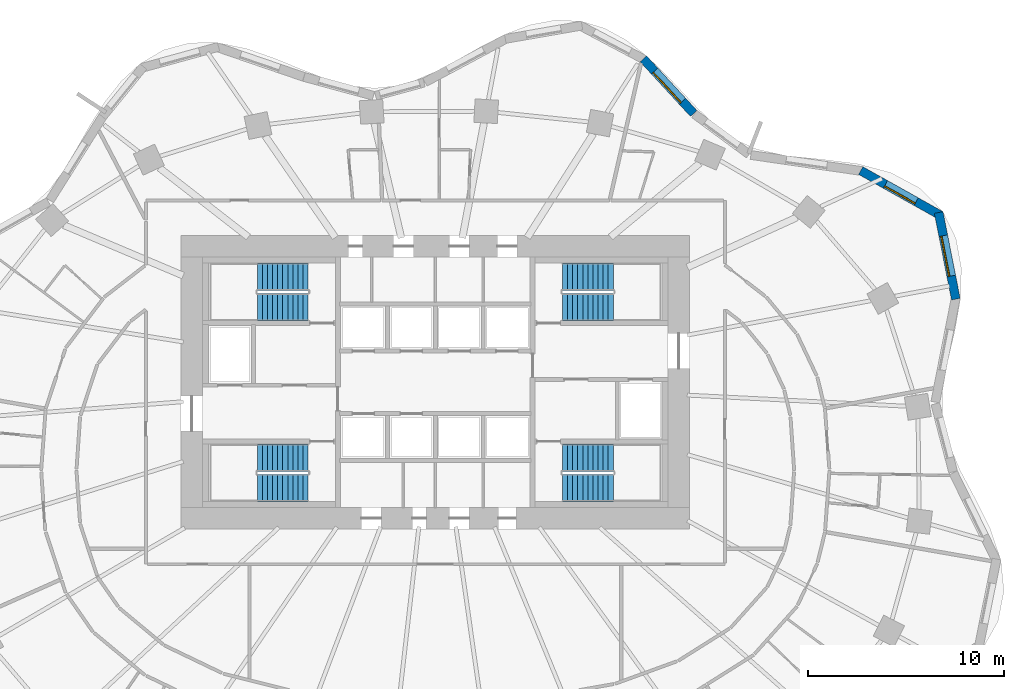
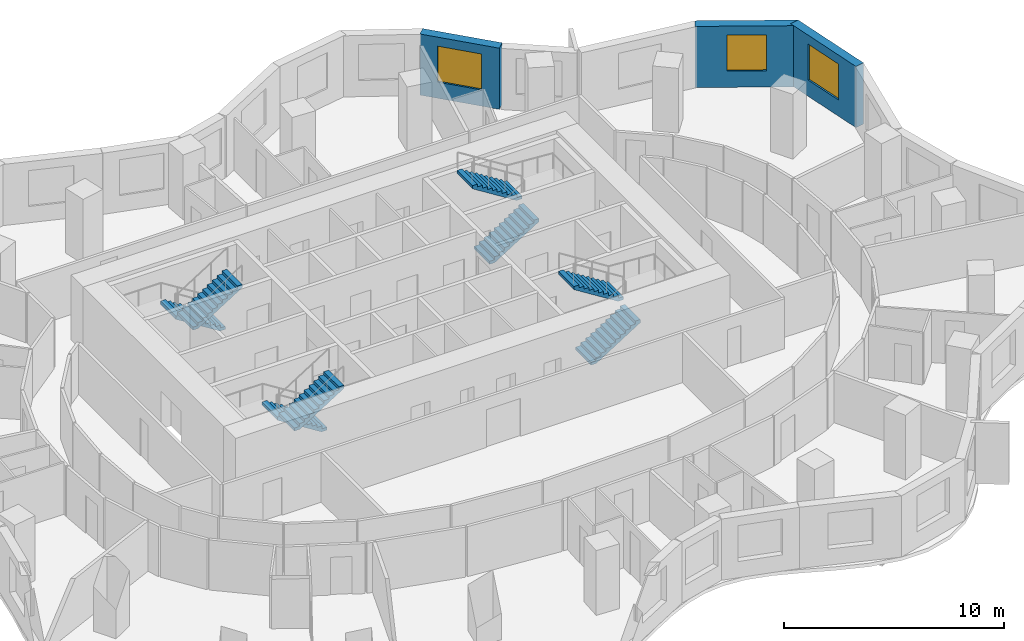
# One storey, part 9 of 10: 8 stair flights, 3 walls, 3 windows, 3 openings, 4 elements without a shape of their own.
"""IFC4 building model written with IfcOpenShell, lengths in metres."""

from ifc_helpers import new_model, si_unit, direction, frame, frame_2d, origin, place, context, subcontext, project, spatial, polyline, rectangle, outline, extrude, material, layer, layer_set, type_object, element, fill, aggregate, save


model = new_model("IFC4")

# Units and contexts
model_context = context("Model", 3, precision=1e-05, world=origin(), true_north=direction((0.0, 1.0)))
body_context = subcontext(model_context, "Body", "Model", "MODEL_VIEW")
ifc_project = project(units=[si_unit("LENGTHUNIT", "METRE"), si_unit("AREAUNIT", "SQUARE_METRE"), si_unit("VOLUMEUNIT", "CUBIC_METRE"), si_unit("PLANEANGLEUNIT", "RADIAN"), si_unit("MASSUNIT", "GRAM", prefix="KILO")], contexts=[model_context])

# Site, building, storey
site_placement = place(None, origin())
site = spatial("IfcSite", under=ifc_project, at=site_placement, CompositionType="ELEMENT")
building_placement = place(site_placement, origin())
building = spatial("IfcBuilding", under=site, at=building_placement, Name="Rubra Terraces Tower", CompositionType="ELEMENT")
storey_placement = place(building_placement, frame((0.0, 0.0, 92.39990234375)))
storey = spatial("IfcBuildingStorey", under=building, at=storey_placement, Name="L21", CompositionType="ELEMENT", Elevation=92.39990234375)

# Wall, opening, window
ifc_material_1 = material(Name="Brick masonry red-brown", Category="masonry")
ifc_layer = layer(ifc_material_1, 0.449951171875)
ifc_layer_set = layer_set([ifc_layer], Name="Brick masonry red-brown")
wall_type = type_object("IfcWallType", Name="Brick facade wall 450", PredefinedType="SOLIDWALL", material=ifc_layer_set)
wall_1_placement = place(storey_placement, frame((26.609619140625, 8.747802734375, 0.0), z_axis=(0.0, 0.0, 1.0), x_axis=(-0.193923166402, 0.981016720312, 0.0)))
wall_1 = element("IfcWall", 1, at=wall_1_placement, inside=storey, type_object=wall_type, Name="Facade wall L21 bay 3", PredefinedType="SOLIDWALL", context=body_context, shape_type="SweptSolid", body=[
    extrude(rectangle(XDim=4.518310546875, YDim=0.449951171875, at=frame_2d((2.25927734375, 0.0))), origin(), (0.0, 0.0, 1.0), 3.400146484375),
])
opening_1_placement = place(wall_1_placement, frame((1.209228515625, 0.0, 0.89990234375)))
opening_1 = element("IfcOpeningElement", 2, at=opening_1_placement, cuts=wall_1, Name="Opening W1", PredefinedType="OPENING", context=body_context, shape_type="SweptSolid", body=[
    extrude(rectangle(XDim=2.10009765625, YDim=2.0, at=frame_2d((1.050048828125, 1.0))), frame((0.0, 0.23486328125, 0.0), z_axis=(0.0, -1.0, 0.0), x_axis=(1.0, 0.0, 0.0)), (0.0, 0.0, 1.0), 0.469970703125),
])
ifc_material_2 = material(Name="Clear glass in aluminium frame", Category="aluminium")
window_type_1 = type_object("IfcWindowType", Name="Fixed deep-set window 2100 x 2000", PartitioningType="SINGLE_PANEL", PredefinedType="WINDOW", material=ifc_material_2)
window_1_placement = place(opening_1_placement, origin())
window_1 = element("IfcWindow", 3, at=window_1_placement, inside=storey, type_object=window_type_1, Name="Window L21 bay 3", OverallHeight=2.0, OverallWidth=2.10009765625, PartitioningType="SINGLE_PANEL", PredefinedType="WINDOW", context=body_context, shape_type="SweptSolid", body=[
    extrude(rectangle(XDim=2.10009765625, YDim=2.0, at=frame_2d((1.050048828125, 1.0))), frame((0.0, 0.135009765625, 0.0), z_axis=(0.0, -1.0, 0.0), x_axis=(1.0, 0.0, 0.0)), (0.0, 0.0, 1.0), 0.06005859375),
])
fill(opening_1, window_1)

wall_2_placement = place(storey_placement, frame((25.843994140625, 13.027587890625, 0.0), z_axis=(0.0, 0.0, 1.0), x_axis=(-0.872346398261, 0.488888291373, 0.0)))
wall_2 = element("IfcWall", 4, at=wall_2_placement, inside=storey, type_object=wall_type, Name="Facade wall L21 bay 4", PredefinedType="SOLIDWALL", context=body_context, shape_type="SweptSolid", body=[
    extrude(rectangle(XDim=4.696044921875, YDim=0.449951171875, at=frame_2d((2.34814453125, 0.0))), origin(), (0.0, 0.0, 1.0), 3.400146484375),
])
opening_2_placement = place(wall_2_placement, frame((1.447998046875, 0.0, 0.89990234375)))
opening_2 = element("IfcOpeningElement", 5, at=opening_2_placement, cuts=wall_2, Name="Opening W6", PredefinedType="OPENING", context=body_context, shape_type="SweptSolid", body=[
    extrude(rectangle(XDim=1.800048828125, YDim=2.0, at=frame_2d((0.89990234375, 1.0))), frame((0.0, 0.23486328125, 0.0), z_axis=(0.0, -1.0, 0.0), x_axis=(1.0, 0.0, 0.0)), (0.0, 0.0, 1.0), 0.469970703125),
])
window_type_2 = type_object("IfcWindowType", Name="Fixed deep-set window at wind fin 1800 x 2000", PartitioningType="SINGLE_PANEL", PredefinedType="WINDOW", material=ifc_material_2)
window_2_placement = place(opening_2_placement, origin())
window_2 = element("IfcWindow", 6, at=window_2_placement, inside=storey, type_object=window_type_2, Name="Window L21 bay 4", OverallHeight=2.0, OverallWidth=1.800048828125, PartitioningType="SINGLE_PANEL", PredefinedType="WINDOW", context=body_context, shape_type="SweptSolid", body=[
    extrude(rectangle(XDim=1.800048828125, YDim=2.0, at=frame_2d((0.89990234375, 1.0))), frame((0.0, 0.135009765625, 0.0), z_axis=(0.0, -1.0, 0.0), x_axis=(1.0, 0.0, 0.0)), (0.0, 0.0, 1.0), 0.06005859375),
])
fill(opening_2, window_2)

wall_3_placement = place(storey_placement, frame((13.20947265625, 18.242919921875, 0.0), z_axis=(0.0, 0.0, 1.0), x_axis=(-0.677612152497, 0.735419452278, 0.0)))
wall_3 = element("IfcWall", 7, at=wall_3_placement, inside=storey, type_object=wall_type, Name="Facade wall L21 bay 7", PredefinedType="SOLIDWALL", context=body_context, shape_type="SweptSolid", body=[
    extrude(rectangle(XDim=3.796875, YDim=0.449951171875, at=frame_2d((1.8984375, 0.0))), origin(), (0.0, 0.0, 1.0), 3.400146484375),
])
opening_3_placement = place(wall_3_placement, frame((0.848388671875, 0.0, 0.89990234375)))
opening_3 = element("IfcOpeningElement", 8, at=opening_3_placement, cuts=wall_3, Name="Opening W1", PredefinedType="OPENING", context=body_context, shape_type="SweptSolid", body=[
    extrude(rectangle(XDim=2.10009765625, YDim=2.0, at=frame_2d((1.050048828125, 1.0))), frame((0.0, 0.23486328125, 0.0), z_axis=(0.0, -1.0, 0.0), x_axis=(1.0, 0.0, 0.0)), (0.0, 0.0, 1.0), 0.469970703125),
])
window_3_placement = place(opening_3_placement, origin())
window_3 = element("IfcWindow", 9, at=window_3_placement, inside=storey, type_object=window_type_1, Name="Window L21 bay 7", OverallHeight=2.0, OverallWidth=2.10009765625, PartitioningType="SINGLE_PANEL", PredefinedType="WINDOW", context=body_context, shape_type="SweptSolid", body=[
    extrude(rectangle(XDim=2.10009765625, YDim=2.0, at=frame_2d((1.050048828125, 1.0))), frame((0.0, 0.135009765625, 0.0), z_axis=(0.0, -1.0, 0.0), x_axis=(1.0, 0.0, 0.0)), (0.0, 0.0, 1.0), 0.06005859375),
])
fill(opening_3, window_3)

# Stair, stair flights
ifc_material_3 = material(Name="Concrete C40", Category="concrete")
stair_type = type_object("IfcStairType", Name="Core stair 1400", PredefinedType="HALF_TURN_STAIR", material=ifc_material_3)
stair_1_placement = place(storey_placement, origin())
stair_1 = element("IfcStair", 10, at=stair_1_placement, inside=storey, type_object=stair_type, Name="L21 Exit stair S1", PredefinedType="HALF_TURN_STAIR")
stair_flight_type = type_object("IfcStairFlightType", Name="Core stair flight 1400", PredefinedType="STRAIGHT", material=ifc_material_3)
stair_flight_1_placement = place(storey_placement, frame((-6.5, 0.64990234375, 0.0), z_axis=(0.0, 0.0, 1.0), x_axis=(-1.0, 0.0, 0.0)))
stair_flight_1 = element("IfcStairFlight", 11, at=stair_flight_1_placement, type_object=stair_flight_type, Name="S1 flight 1", NumberOfRisers=11, NumberOfTreads=10, PredefinedType="STRAIGHT", RiserHeight=0.163636364, TreadLength=0.26, context=body_context, shape_type="SweptSolid", body=[
    extrude(outline(polyline([(0.0, 0.0), (0.0, 0.16357421875), (0.260009765625, 0.16357421875), (0.260009765625, 0.327392578125), (0.52001953125, 0.327392578125), (0.52001953125, 0.490966796875), (0.780029296875, 0.490966796875), (0.780029296875, 0.654541015625), (1.0400390625, 0.654541015625), (1.0400390625, 0.818115234375), (1.300048828125, 0.818115234375), (1.300048828125, 0.98193359375), (1.56005859375, 0.98193359375), (1.56005859375, 1.1455078125), (1.820068359375, 1.1455078125), (1.820068359375, 1.30908203125), (2.080078125, 1.30908203125), (2.080078125, 1.47265625), (2.340087890625, 1.47265625), (2.340087890625, 1.636474609375), (2.60009765625, 1.636474609375), (2.60009765625, 1.800048828125), (2.60009765625, 1.459228515625), (0.281494140625, 0.0), (0.0, 0.0)])), frame((0.0, 0.699951171875, 0.0), z_axis=(0.0, -1.0, 0.0), x_axis=(1.0, 0.0, 0.0)), (0.0, 0.0, 1.0), 1.39990234375),
])
stair_flight_2_placement = place(storey_placement, frame((-9.10009765625, -0.89990234375, 1.800048828125), z_axis=(0.0, 0.0, 1.0), x_axis=(1.0, 0.0, 0.0)))
stair_flight_2 = element("IfcStairFlight", 12, at=stair_flight_2_placement, type_object=stair_flight_type, Name="S1 flight 2", NumberOfRisers=11, NumberOfTreads=10, PredefinedType="STRAIGHT", RiserHeight=0.163636364, TreadLength=0.26, context=body_context, shape_type="SweptSolid", body=[
    extrude(outline(polyline([(0.0, 0.0), (0.0, 0.16357421875), (0.260009765625, 0.16357421875), (0.260009765625, 0.327392578125), (0.52001953125, 0.327392578125), (0.52001953125, 0.490966796875), (0.780029296875, 0.490966796875), (0.780029296875, 0.654541015625), (1.0400390625, 0.654541015625), (1.0400390625, 0.818115234375), (1.300048828125, 0.818115234375), (1.300048828125, 0.98193359375), (1.56005859375, 0.98193359375), (1.56005859375, 1.1455078125), (1.820068359375, 1.1455078125), (1.820068359375, 1.30908203125), (2.080078125, 1.30908203125), (2.080078125, 1.47265625), (2.340087890625, 1.47265625), (2.340087890625, 1.636474609375), (2.60009765625, 1.636474609375), (2.60009765625, 1.800048828125), (2.60009765625, 1.459228515625), (0.281494140625, 0.0), (0.0, 0.0)])), frame((0.0, 0.699951171875, 0.0), z_axis=(0.0, -1.0, 0.0), x_axis=(1.0, 0.0, 0.0)), (0.0, 0.0, 1.0), 1.39990234375),
])
aggregate(stair_1, [stair_flight_1, stair_flight_2])

stair_2_placement = place(storey_placement, origin())
stair_2 = element("IfcStair", 13, at=stair_2_placement, inside=storey, type_object=stair_type, Name="L21 Exit stair S2", PredefinedType="HALF_TURN_STAIR")
stair_flight_3_placement = place(storey_placement, frame((-6.5, 9.89990234375, 0.0), z_axis=(0.0, 0.0, 1.0), x_axis=(-1.0, 0.0, 0.0)))
stair_flight_3 = element("IfcStairFlight", 14, at=stair_flight_3_placement, type_object=stair_flight_type, Name="S2 flight 1", NumberOfRisers=11, NumberOfTreads=10, PredefinedType="STRAIGHT", RiserHeight=0.163636364, TreadLength=0.26, context=body_context, shape_type="SweptSolid", body=[
    extrude(outline(polyline([(0.0, 0.0), (0.0, 0.16357421875), (0.260009765625, 0.16357421875), (0.260009765625, 0.327392578125), (0.52001953125, 0.327392578125), (0.52001953125, 0.490966796875), (0.780029296875, 0.490966796875), (0.780029296875, 0.654541015625), (1.0400390625, 0.654541015625), (1.0400390625, 0.818115234375), (1.300048828125, 0.818115234375), (1.300048828125, 0.98193359375), (1.56005859375, 0.98193359375), (1.56005859375, 1.1455078125), (1.820068359375, 1.1455078125), (1.820068359375, 1.30908203125), (2.080078125, 1.30908203125), (2.080078125, 1.47265625), (2.340087890625, 1.47265625), (2.340087890625, 1.636474609375), (2.60009765625, 1.636474609375), (2.60009765625, 1.800048828125), (2.60009765625, 1.459228515625), (0.281494140625, 0.0), (0.0, 0.0)])), frame((0.0, 0.699951171875, 0.0), z_axis=(0.0, -1.0, 0.0), x_axis=(1.0, 0.0, 0.0)), (0.0, 0.0, 1.0), 1.39990234375),
])
stair_flight_4_placement = place(storey_placement, frame((-9.10009765625, 8.35009765625, 1.800048828125), z_axis=(0.0, 0.0, 1.0), x_axis=(1.0, 0.0, 0.0)))
stair_flight_4 = element("IfcStairFlight", 15, at=stair_flight_4_placement, type_object=stair_flight_type, Name="S2 flight 2", NumberOfRisers=11, NumberOfTreads=10, PredefinedType="STRAIGHT", RiserHeight=0.163636364, TreadLength=0.26, context=body_context, shape_type="SweptSolid", body=[
    extrude(outline(polyline([(0.0, 0.0), (0.0, 0.16357421875), (0.260009765625, 0.16357421875), (0.260009765625, 0.327392578125), (0.52001953125, 0.327392578125), (0.52001953125, 0.490966796875), (0.780029296875, 0.490966796875), (0.780029296875, 0.654541015625), (1.0400390625, 0.654541015625), (1.0400390625, 0.818115234375), (1.300048828125, 0.818115234375), (1.300048828125, 0.98193359375), (1.56005859375, 0.98193359375), (1.56005859375, 1.1455078125), (1.820068359375, 1.1455078125), (1.820068359375, 1.30908203125), (2.080078125, 1.30908203125), (2.080078125, 1.47265625), (2.340087890625, 1.47265625), (2.340087890625, 1.636474609375), (2.60009765625, 1.636474609375), (2.60009765625, 1.800048828125), (2.60009765625, 1.459228515625), (0.281494140625, 0.0), (0.0, 0.0)])), frame((0.0, 0.699951171875, 0.0), z_axis=(0.0, -1.0, 0.0), x_axis=(1.0, 0.0, 0.0)), (0.0, 0.0, 1.0), 1.39990234375),
])
aggregate(stair_2, [stair_flight_3, stair_flight_4])

stair_3_placement = place(storey_placement, origin())
stair_3 = element("IfcStair", 16, at=stair_3_placement, inside=storey, type_object=stair_type, Name="L21 Exit stair S3", PredefinedType="HALF_TURN_STAIR")
stair_flight_5_placement = place(storey_placement, frame((6.5, 8.35009765625, 0.0), z_axis=(0.0, 0.0, 1.0), x_axis=(1.0, 0.0, 0.0)))
stair_flight_5 = element("IfcStairFlight", 17, at=stair_flight_5_placement, type_object=stair_flight_type, Name="S3 flight 1", NumberOfRisers=11, NumberOfTreads=10, PredefinedType="STRAIGHT", RiserHeight=0.163636364, TreadLength=0.26, context=body_context, shape_type="SweptSolid", body=[
    extrude(outline(polyline([(0.0, 0.0), (0.0, 0.16357421875), (0.260009765625, 0.16357421875), (0.260009765625, 0.327392578125), (0.52001953125, 0.327392578125), (0.52001953125, 0.490966796875), (0.780029296875, 0.490966796875), (0.780029296875, 0.654541015625), (1.0400390625, 0.654541015625), (1.0400390625, 0.818115234375), (1.300048828125, 0.818115234375), (1.300048828125, 0.98193359375), (1.56005859375, 0.98193359375), (1.56005859375, 1.1455078125), (1.820068359375, 1.1455078125), (1.820068359375, 1.30908203125), (2.080078125, 1.30908203125), (2.080078125, 1.47265625), (2.340087890625, 1.47265625), (2.340087890625, 1.636474609375), (2.60009765625, 1.636474609375), (2.60009765625, 1.800048828125), (2.60009765625, 1.459228515625), (0.281494140625, 0.0), (0.0, 0.0)])), frame((0.0, 0.699951171875, 0.0), z_axis=(0.0, -1.0, 0.0), x_axis=(1.0, 0.0, 0.0)), (0.0, 0.0, 1.0), 1.39990234375),
])
stair_flight_6_placement = place(storey_placement, frame((9.10009765625, 9.89990234375, 1.800048828125), z_axis=(0.0, 0.0, 1.0), x_axis=(-1.0, 0.0, 0.0)))
stair_flight_6 = element("IfcStairFlight", 18, at=stair_flight_6_placement, type_object=stair_flight_type, Name="S3 flight 2", NumberOfRisers=11, NumberOfTreads=10, PredefinedType="STRAIGHT", RiserHeight=0.163636364, TreadLength=0.26, context=body_context, shape_type="SweptSolid", body=[
    extrude(outline(polyline([(0.0, 0.0), (0.0, 0.16357421875), (0.260009765625, 0.16357421875), (0.260009765625, 0.327392578125), (0.52001953125, 0.327392578125), (0.52001953125, 0.490966796875), (0.780029296875, 0.490966796875), (0.780029296875, 0.654541015625), (1.0400390625, 0.654541015625), (1.0400390625, 0.818115234375), (1.300048828125, 0.818115234375), (1.300048828125, 0.98193359375), (1.56005859375, 0.98193359375), (1.56005859375, 1.1455078125), (1.820068359375, 1.1455078125), (1.820068359375, 1.30908203125), (2.080078125, 1.30908203125), (2.080078125, 1.47265625), (2.340087890625, 1.47265625), (2.340087890625, 1.636474609375), (2.60009765625, 1.636474609375), (2.60009765625, 1.800048828125), (2.60009765625, 1.459228515625), (0.281494140625, 0.0), (0.0, 0.0)])), frame((0.0, 0.699951171875, 0.0), z_axis=(0.0, -1.0, 0.0), x_axis=(1.0, 0.0, 0.0)), (0.0, 0.0, 1.0), 1.39990234375),
])
aggregate(stair_3, [stair_flight_5, stair_flight_6])

stair_4_placement = place(storey_placement, origin())
stair_4 = element("IfcStair", 19, at=stair_4_placement, inside=storey, type_object=stair_type, Name="L21 Exit stair S4", PredefinedType="HALF_TURN_STAIR")
stair_flight_7_placement = place(storey_placement, frame((6.5, -0.89990234375, 0.0), z_axis=(0.0, 0.0, 1.0), x_axis=(1.0, 0.0, 0.0)))
stair_flight_7 = element("IfcStairFlight", 20, at=stair_flight_7_placement, type_object=stair_flight_type, Name="S4 flight 1", NumberOfRisers=11, NumberOfTreads=10, PredefinedType="STRAIGHT", RiserHeight=0.163636364, TreadLength=0.26, context=body_context, shape_type="SweptSolid", body=[
    extrude(outline(polyline([(0.0, 0.0), (0.0, 0.16357421875), (0.260009765625, 0.16357421875), (0.260009765625, 0.327392578125), (0.52001953125, 0.327392578125), (0.52001953125, 0.490966796875), (0.780029296875, 0.490966796875), (0.780029296875, 0.654541015625), (1.0400390625, 0.654541015625), (1.0400390625, 0.818115234375), (1.300048828125, 0.818115234375), (1.300048828125, 0.98193359375), (1.56005859375, 0.98193359375), (1.56005859375, 1.1455078125), (1.820068359375, 1.1455078125), (1.820068359375, 1.30908203125), (2.080078125, 1.30908203125), (2.080078125, 1.47265625), (2.340087890625, 1.47265625), (2.340087890625, 1.636474609375), (2.60009765625, 1.636474609375), (2.60009765625, 1.800048828125), (2.60009765625, 1.459228515625), (0.281494140625, 0.0), (0.0, 0.0)])), frame((0.0, 0.699951171875, 0.0), z_axis=(0.0, -1.0, 0.0), x_axis=(1.0, 0.0, 0.0)), (0.0, 0.0, 1.0), 1.39990234375),
])
stair_flight_8_placement = place(storey_placement, frame((9.10009765625, 0.64990234375, 1.800048828125), z_axis=(0.0, 0.0, 1.0), x_axis=(-1.0, 0.0, 0.0)))
stair_flight_8 = element("IfcStairFlight", 21, at=stair_flight_8_placement, type_object=stair_flight_type, Name="S4 flight 2", NumberOfRisers=11, NumberOfTreads=10, PredefinedType="STRAIGHT", RiserHeight=0.163636364, TreadLength=0.26, context=body_context, shape_type="SweptSolid", body=[
    extrude(outline(polyline([(0.0, 0.0), (0.0, 0.16357421875), (0.260009765625, 0.16357421875), (0.260009765625, 0.327392578125), (0.52001953125, 0.327392578125), (0.52001953125, 0.490966796875), (0.780029296875, 0.490966796875), (0.780029296875, 0.654541015625), (1.0400390625, 0.654541015625), (1.0400390625, 0.818115234375), (1.300048828125, 0.818115234375), (1.300048828125, 0.98193359375), (1.56005859375, 0.98193359375), (1.56005859375, 1.1455078125), (1.820068359375, 1.1455078125), (1.820068359375, 1.30908203125), (2.080078125, 1.30908203125), (2.080078125, 1.47265625), (2.340087890625, 1.47265625), (2.340087890625, 1.636474609375), (2.60009765625, 1.636474609375), (2.60009765625, 1.800048828125), (2.60009765625, 1.459228515625), (0.281494140625, 0.0), (0.0, 0.0)])), frame((0.0, 0.699951171875, 0.0), z_axis=(0.0, -1.0, 0.0), x_axis=(1.0, 0.0, 0.0)), (0.0, 0.0, 1.0), 1.39990234375),
])
aggregate(stair_4, [stair_flight_7, stair_flight_8])

save(model, "model.ifc")
